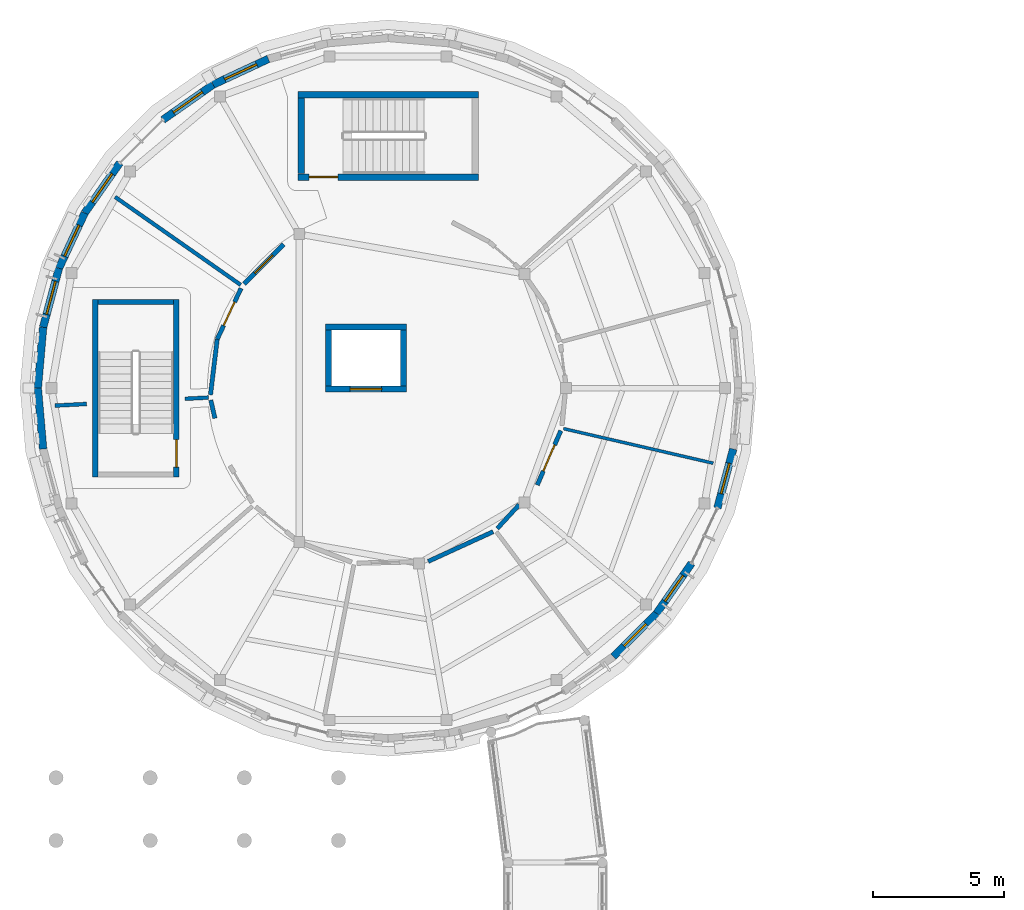
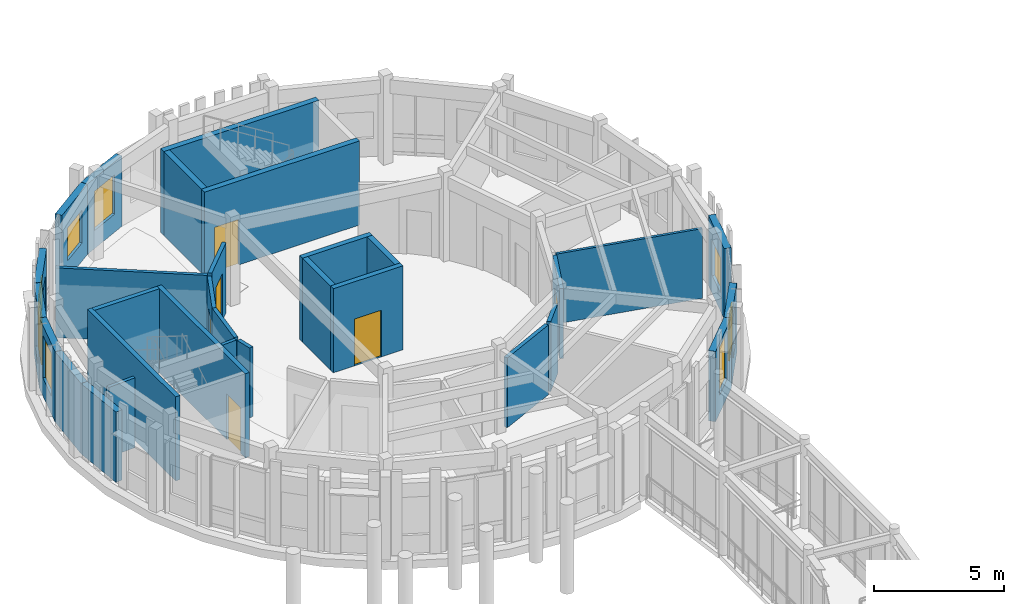
# One storey, part 51 of 80: 31 walls, 8 windows, 6 doors, 14 openings.
"""IFC4 building model written with IfcOpenShell, lengths in metres."""

from ifc_helpers import new_model, si_unit, direction, frame, frame_2d, origin, place, context, subcontext, project, spatial, rectangle, extrude, material, layer, layer_set, type_object, element, fill, save


model = new_model("IFC4")

# Units and contexts
model_context = context("Model", 3, precision=1e-05, world=origin(), true_north=direction((0.0, 1.0)))
body_context = subcontext(model_context, "Body", "Model", "MODEL_VIEW")
ifc_project = project(units=[si_unit("LENGTHUNIT", "METRE"), si_unit("AREAUNIT", "SQUARE_METRE"), si_unit("VOLUMEUNIT", "CUBIC_METRE"), si_unit("PLANEANGLEUNIT", "RADIAN"), si_unit("MASSUNIT", "GRAM", prefix="KILO")], contexts=[model_context])

# Site, building, storey
site_placement = place(None, origin())
site = spatial("IfcSite", under=ifc_project, at=site_placement, CompositionType="ELEMENT")
building_placement = place(site_placement, origin())
building = spatial("IfcBuilding", under=site, at=building_placement, Name="Aldenvaro Health Centre", CompositionType="ELEMENT")
storey_placement = place(building_placement, frame((0.0, 0.0, 4.550048828125)))
storey = spatial("IfcBuildingStorey", under=building, at=storey_placement, Name="L01", CompositionType="ELEMENT", Elevation=4.550048828125)

# Walls
ifc_material_1 = material(Name="Gypsum Stud Acoustic Assembly")
ifc_layer_1 = layer(ifc_material_1, 0.14501953125, Name="Gypsum Stud Acoustic Assembly")
ifc_layer_set_1 = layer_set([ifc_layer_1], Name="Gypsum Stud Acoustic Assembly")
wall_type_1 = type_object("IfcWallType", Name="WL-CLN-145", PredefinedType="PARTITIONING", material=ifc_layer_set_1)
wall_1_placement = place(storey_placement, frame((12.862060546875, 103.447998046875, 0.0), z_axis=(0.0, 0.0, 1.0), x_axis=(-0.819231920519, 0.573462344363, 0.0)))
element("IfcWall", 1, at=wall_1_placement, inside=storey, type_object=wall_type_1, Name="D4 L01 clinical partition 2.1", PredefinedType="PARTITIONING", context=body_context, shape_type="SweptSolid", body=[
    extrude(rectangle(XDim=5.867919921875, YDim=0.14501953125, at=frame_2d((2.93408203125, 0.0))), origin(), (0.0, 0.0, 1.0), 3.283935546875),
])
wall_2_placement = place(storey_placement, frame((11.6259765625, 99.139892578125, 0.0), z_axis=(0.0, 0.0, 1.0), x_axis=(-0.998634316819, -0.052244629109, 0.0)))
element("IfcWall", 2, at=wall_2_placement, inside=storey, type_object=wall_type_1, Name="D4 L01 clinical partition 3.1", PredefinedType="PARTITIONING", context=body_context, shape_type="SweptSolid", body=[
    extrude(rectangle(XDim=0.897216796875, YDim=0.14501953125, at=frame_2d((0.44873046875, 0.0))), origin(), (0.0, 0.0, 1.0), 3.283935546875),
])
wall_3_placement = place(storey_placement, frame((6.969970703125, 98.89599609375, 0.0), z_axis=(0.0, 0.0, 1.0), x_axis=(-0.998605556721, -0.05279149634, 0.0)))
element("IfcWall", 3, at=wall_3_placement, inside=storey, type_object=wall_type_1, Name="D4 L01 clinical partition 3.2", PredefinedType="PARTITIONING", context=body_context, shape_type="SweptSolid", body=[
    extrude(rectangle(XDim=1.211669921875, YDim=0.14501953125, at=frame_2d((0.60595703125, 0.0))), origin(), (0.0, 0.0, 1.0), 3.283935546875),
])

# Wall, opening, door
ifc_layer_2 = layer(ifc_material_1, 0.1650390625, Name="Gypsum Stud Acoustic Assembly")
ifc_layer_set_2 = layer_set([ifc_layer_2], Name="Gypsum Stud Acoustic Assembly")
wall_type_2 = type_object("IfcWallType", Name="WL-COR-165", PredefinedType="PARTITIONING", material=ifc_layer_set_2)
wall_4_placement = place(storey_placement, frame((14.5029296875, 105.0009765625, 0.0), z_axis=(0.0, 0.0, 1.0), x_axis=(-0.706366445294, -0.707846342762, 0.0)))
wall_4 = element("IfcWall", 4, at=wall_4_placement, inside=storey, type_object=wall_type_2, Name="D4 L01 corridor wall 01.1", PredefinedType="PARTITIONING", context=body_context, shape_type="SweptSolid", body=[
    extrude(rectangle(XDim=2.14453125, YDim=0.1650390625, at=frame_2d((1.072265625, 0.0))), origin(), (0.0, 0.0, 1.0), 3.283935546875),
])
opening_1_placement = place(wall_4_placement, frame((0.587890625, 0.0, 0.0)))
opening_1 = element("IfcOpeningElement", 5, at=opening_1_placement, cuts=wall_4, Name="Opening D-17", PredefinedType="OPENING", context=body_context, shape_type="SweptSolid", body=[
    extrude(rectangle(XDim=0.969970703125, YDim=2.199951171875, at=frame_2d((0.48486328125, 1.10009765625))), frame((0.0, 0.092529296875, 0.0), z_axis=(0.0, -1.0, 0.0), x_axis=(1.0, 0.0, 0.0)), (0.0, 0.0, 1.0), 0.18505859375),
])
ifc_material_2 = material(Name="Exam Suite Timber Door", Category="wood")
door_type_1 = type_object("IfcDoorType", Name="DR-CLN-17", OperationType="NOTDEFINED", PredefinedType="DOOR", material=ifc_material_2)
door_1_placement = place(opening_1_placement, origin())
door_1 = element("IfcDoor", 6, at=door_1_placement, inside=storey, type_object=door_type_1, Name="Pediatrics Consulting Room 202 Door", OperationType="SINGLE_SWING_LEFT", OverallHeight=2.199951171875, OverallWidth=0.969970703125, PredefinedType="DOOR", context=body_context, shape_type="SweptSolid", body=[
    extrude(rectangle(XDim=0.969970703125, YDim=2.199951171875, at=frame_2d((0.48486328125, 1.10009765625))), frame((0.0, 0.02490234375, 0.0), z_axis=(0.0, -1.0, 0.0), x_axis=(1.0, 0.0, 0.0)), (0.0, 0.0, 1.0), 0.050048828125),
])
fill(opening_1, door_1)

wall_5_placement = place(storey_placement, frame((12.873046875, 103.31689453125, 0.0), z_axis=(0.0, 0.0, 1.0), x_axis=(-0.424218123239, -0.905560038824, 0.0)))
wall_5 = element("IfcWall", 7, at=wall_5_placement, inside=storey, type_object=wall_type_2, Name="D4 L01 corridor wall 02.1", PredefinedType="PARTITIONING", context=body_context, shape_type="SweptSolid", body=[
    extrude(rectangle(XDim=2.1455078125, YDim=0.1650390625, at=frame_2d((1.07275390625, 0.0))), origin(), (0.0, 0.0, 1.0), 3.283935546875),
])
opening_2_placement = place(wall_5_placement, frame((0.577880859375, 0.0, 0.0)))
opening_2 = element("IfcOpeningElement", 8, at=opening_2_placement, cuts=wall_5, Name="Opening D-18", PredefinedType="OPENING", context=body_context, shape_type="SweptSolid", body=[
    extrude(rectangle(XDim=0.989990234375, YDim=2.219970703125, at=frame_2d((0.4951171875, 1.10986328125))), frame((0.0, 0.092529296875, 0.0), z_axis=(0.0, -1.0, 0.0), x_axis=(1.0, 0.0, 0.0)), (0.0, 0.0, 1.0), 0.18505859375),
])
door_type_2 = type_object("IfcDoorType", Name="DR-CLN-18", OperationType="NOTDEFINED", PredefinedType="DOOR", material=ifc_material_2)
door_2_placement = place(opening_2_placement, origin())
door_2 = element("IfcDoor", 9, at=door_2_placement, inside=storey, type_object=door_type_2, Name="Pediatrics Consulting Room 203 Door", OperationType="SINGLE_SWING_RIGHT", OverallHeight=2.219970703125, OverallWidth=0.989990234375, PredefinedType="DOOR", context=body_context, shape_type="SweptSolid", body=[
    extrude(rectangle(XDim=0.989990234375, YDim=2.219970703125, at=frame_2d((0.4951171875, 1.10986328125))), frame((0.0, 0.02490234375, 0.0), z_axis=(0.0, -1.0, 0.0), x_axis=(1.0, 0.0, 0.0)), (0.0, 0.0, 1.0), 0.050048828125),
])
fill(opening_2, door_2)

# Walls
wall_6_placement = place(storey_placement, frame((11.962890625, 101.3740234375, 0.0), z_axis=(0.0, 0.0, 1.0), x_axis=(-0.120222568092, -0.992746963794, 0.0)))
element("IfcWall", 10, at=wall_6_placement, inside=storey, type_object=wall_type_2, Name="D4 L01 corridor wall 02.2", PredefinedType="PARTITIONING", context=body_context, shape_type="SweptSolid", body=[
    extrude(rectangle(XDim=2.14453125, YDim=0.1650390625, at=frame_2d((1.072265625, 0.0))), origin(), (0.0, 0.0, 1.0), 3.283935546875),
])
wall_7_placement = place(storey_placement, frame((11.715087890625, 99.04296875, 0.0), z_axis=(0.0, 0.0, 1.0), x_axis=(0.223580091663, -0.974685560892, 0.0)))
element("IfcWall", 11, at=wall_7_placement, inside=storey, type_object=wall_type_2, Name="D4 L01 corridor wall 03.1", PredefinedType="PARTITIONING", context=body_context, shape_type="SweptSolid", body=[
    extrude(rectangle(XDim=0.7109375, YDim=0.1650390625, at=frame_2d((0.35546875, 0.0))), origin(), (0.0, 0.0, 1.0), 3.283935546875),
])
wall_8_placement = place(storey_placement, frame((20.030029296875, 92.8740234375, 0.0), z_axis=(0.0, 0.0, 1.0), x_axis=(0.909355526696, 0.416019862587, 0.0)))
element("IfcWall", 12, at=wall_8_placement, inside=storey, type_object=wall_type_2, Name="D4 L01 corridor wall 05.2", PredefinedType="PARTITIONING", context=body_context, shape_type="SweptSolid", body=[
    extrude(rectangle(XDim=2.728271484375, YDim=0.1650390625, at=frame_2d((1.3642578125, 0.0))), origin(), (0.0, 0.0, 1.0), 3.283935546875),
])
wall_9_placement = place(storey_placement, frame((22.672119140625, 94.131103515625, 0.0), z_axis=(0.0, 0.0, 1.0), x_axis=(0.677069322474, 0.735919243236, 0.0)))
element("IfcWall", 13, at=wall_9_placement, inside=storey, type_object=wall_type_2, Name="D4 L01 corridor wall 06.1", PredefinedType="PARTITIONING", context=body_context, shape_type="SweptSolid", body=[
    extrude(rectangle(XDim=1.240478515625, YDim=0.1650390625, at=frame_2d((0.6201171875, 0.0))), origin(), (0.0, 0.0, 1.0), 3.283935546875),
])

# Wall, opening, door
wall_10_placement = place(storey_placement, frame((24.202880859375, 95.7958984375, 0.0), z_axis=(0.0, 0.0, 1.0), x_axis=(0.397419678039, 0.917636964985, 0.0)))
wall_10 = element("IfcWall", 14, at=wall_10_placement, inside=storey, type_object=wall_type_2, Name="D4 L01 corridor wall 06.2", PredefinedType="PARTITIONING", context=body_context, shape_type="SweptSolid", body=[
    extrude(rectangle(XDim=2.262451171875, YDim=0.1650390625, at=frame_2d((1.13134765625, 0.0))), origin(), (0.0, 0.0, 1.0), 3.283935546875),
])
opening_3_placement = place(wall_10_placement, frame((0.5859375, 0.0, 0.0)))
opening_3 = element("IfcOpeningElement", 15, at=opening_3_placement, cuts=wall_10, Name="Opening D-22", PredefinedType="OPENING", context=body_context, shape_type="SweptSolid", body=[
    extrude(rectangle(XDim=1.090087890625, YDim=2.219970703125, at=frame_2d((0.544921875, 1.10986328125))), frame((0.0, 0.092529296875, 0.0), z_axis=(0.0, -1.0, 0.0), x_axis=(1.0, 0.0, 0.0)), (0.0, 0.0, 1.0), 0.18505859375),
])
door_type_3 = type_object("IfcDoorType", Name="DR-CLN-22", OperationType="NOTDEFINED", PredefinedType="DOOR", material=ifc_material_2)
door_3_placement = place(opening_3_placement, origin())
door_3 = element("IfcDoor", 16, at=door_3_placement, inside=storey, type_object=door_type_3, Name="Pediatric Care Team Station Door", OperationType="SINGLE_SWING_RIGHT", OverallHeight=2.219970703125, OverallWidth=1.090087890625, PredefinedType="DOOR", context=body_context, shape_type="SweptSolid", body=[
    extrude(rectangle(XDim=1.090087890625, YDim=2.219970703125, at=frame_2d((0.544921875, 1.10986328125))), frame((0.0, 0.02490234375, 0.0), z_axis=(0.0, -1.0, 0.0), x_axis=(1.0, 0.0, 0.0)), (0.0, 0.0, 1.0), 0.050048828125),
])
fill(opening_3, door_3)

# Wall, opening, window
ifc_material_3 = material(Name="Cross-laminated timber CLT E1", Category="wood")
ifc_layer_3 = layer(ifc_material_3, 0.2900390625, Name="Cross-laminated timber CLT E1", Category="wood")
ifc_layer_set_3 = layer_set([ifc_layer_3], Name="Cross-laminated timber CLT E1")
wall_type_3 = type_object("IfcWallType", Name="WL-EXT-290", PredefinedType="ELEMENTEDWALL", material=ifc_layer_set_3)
wall_11_placement = place(storey_placement, frame((31.696044921875, 97.173095703125, 0.0), z_axis=(0.0, 0.0, 1.0), x_axis=(-0.258612423585, -0.965981166673, 0.0)))
wall_11 = element("IfcWall", 17, at=wall_11_placement, inside=storey, type_object=wall_type_3, Name="D4 L01 exterior wall 02", PredefinedType="ELEMENTEDWALL", context=body_context, shape_type="SweptSolid", body=[
    extrude(rectangle(XDim=2.33544921875, YDim=0.2900390625, at=frame_2d((1.167724609375, 0.0))), origin(), (0.0, 0.0, 1.0), 3.308837890625),
])
opening_4_placement = place(wall_11_placement, frame((0.568115234375, 0.0, 0.85009765625)))
opening_4 = element("IfcOpeningElement", 18, at=opening_4_placement, cuts=wall_11, Name="Opening W-37", PredefinedType="OPENING", context=body_context, shape_type="SweptSolid", body=[
    extrude(rectangle(XDim=1.199951171875, YDim=1.64990234375, at=frame_2d((0.60009765625, 0.824951171875))), frame((0.0, 0.155029296875, 0.0), z_axis=(0.0, -1.0, 0.0), x_axis=(1.0, 0.0, 0.0)), (0.0, 0.0, 1.0), 0.31005859375),
])
ifc_material_4 = material(Name="Thermally Broken Aluminium Low-E Glass", Category="aluminium")
window_type_1 = type_object("IfcWindowType", Name="WN-EXT-37", PartitioningType="SINGLE_PANEL", PredefinedType="WINDOW", material=ifc_material_4)
window_1_placement = place(opening_4_placement, origin())
window_1 = element("IfcWindow", 19, at=window_1_placement, inside=storey, type_object=window_type_1, Name="D4 L01 clinical window 02", OverallHeight=1.64990234375, OverallWidth=1.199951171875, PartitioningType="SINGLE_PANEL", PredefinedType="WINDOW", context=body_context, shape_type="SweptSolid", body=[
    extrude(rectangle(XDim=1.199951171875, YDim=1.64990234375, at=frame_2d((0.60009765625, 0.824951171875))), frame((0.0, 0.030029296875, 0.0), z_axis=(0.0, -1.0, 0.0), x_axis=(1.0, 0.0, 0.0)), (0.0, 0.0, 1.0), 0.06005859375),
])
fill(opening_4, window_1)

wall_12_placement = place(storey_placement, frame((30.10498046875, 92.800048828125, 0.0), z_axis=(0.0, 0.0, 1.0), x_axis=(-0.573728883722, -0.819045278347, 0.0)))
wall_12 = element("IfcWall", 20, at=wall_12_placement, inside=storey, type_object=wall_type_3, Name="D4 L01 exterior wall 04", PredefinedType="ELEMENTEDWALL", context=body_context, shape_type="SweptSolid", body=[
    extrude(rectangle(XDim=2.335693359375, YDim=0.2900390625, at=frame_2d((1.16796875, 0.0))), origin(), (0.0, 0.0, 1.0), 3.308837890625),
])
opening_5_placement = place(wall_12_placement, frame((0.568115234375, 0.0, 0.85009765625)))
opening_5 = element("IfcOpeningElement", 21, at=opening_5_placement, cuts=wall_12, Name="Opening W-38", PredefinedType="OPENING", context=body_context, shape_type="SweptSolid", body=[
    extrude(rectangle(XDim=1.199951171875, YDim=1.949951171875, at=frame_2d((0.60009765625, 0.97509765625))), frame((0.0, 0.155029296875, 0.0), z_axis=(0.0, -1.0, 0.0), x_axis=(1.0, 0.0, 0.0)), (0.0, 0.0, 1.0), 0.31005859375),
])
window_type_2 = type_object("IfcWindowType", Name="WN-EXT-38", PartitioningType="SINGLE_PANEL", PredefinedType="WINDOW", material=ifc_material_4)
window_2_placement = place(opening_5_placement, origin())
window_2 = element("IfcWindow", 22, at=window_2_placement, inside=storey, type_object=window_type_2, Name="D4 L01 clinical window 04", OverallHeight=1.949951171875, OverallWidth=1.199951171875, PartitioningType="SINGLE_PANEL", PredefinedType="WINDOW", context=body_context, shape_type="SweptSolid", body=[
    extrude(rectangle(XDim=1.199951171875, YDim=1.949951171875, at=frame_2d((0.60009765625, 0.97509765625))), frame((0.0, 0.030029296875, 0.0), z_axis=(0.0, -1.0, 0.0), x_axis=(1.0, 0.0, 0.0)), (0.0, 0.0, 1.0), 0.06005859375),
])
fill(opening_5, window_2)

wall_13_placement = place(storey_placement, frame((28.764892578125, 90.886962890625, 0.0), z_axis=(0.0, 0.0, 1.0), x_axis=(-0.707106781187, -0.707106781187, 0.0)))
wall_13 = element("IfcWall", 23, at=wall_13_placement, inside=storey, type_object=wall_type_3, Name="D4 L01 exterior wall 05", PredefinedType="ELEMENTEDWALL", context=body_context, shape_type="SweptSolid", body=[
    extrude(rectangle(XDim=2.336181640625, YDim=0.2900390625, at=frame_2d((1.16796875, 0.0))), origin(), (0.0, 0.0, 1.0), 3.308837890625),
])
opening_6_placement = place(wall_13_placement, frame((0.568115234375, 0.0, 0.85009765625)))
opening_6 = element("IfcOpeningElement", 24, at=opening_6_placement, cuts=wall_13, Name="Opening W-39", PredefinedType="OPENING", context=body_context, shape_type="SweptSolid", body=[
    extrude(rectangle(XDim=1.199951171875, YDim=2.25, at=frame_2d((0.60009765625, 1.125))), frame((0.0, 0.155029296875, 0.0), z_axis=(0.0, -1.0, 0.0), x_axis=(1.0, 0.0, 0.0)), (0.0, 0.0, 1.0), 0.31005859375),
])
window_type_3 = type_object("IfcWindowType", Name="WN-EXT-39", PartitioningType="SINGLE_PANEL", PredefinedType="WINDOW", material=ifc_material_4)
window_3_placement = place(opening_6_placement, origin())
window_3 = element("IfcWindow", 25, at=window_3_placement, inside=storey, type_object=window_type_3, Name="D4 L01 clinical window 05", OverallHeight=2.25, OverallWidth=1.199951171875, PartitioningType="SINGLE_PANEL", PredefinedType="WINDOW", context=body_context, shape_type="SweptSolid", body=[
    extrude(rectangle(XDim=1.199951171875, YDim=2.25, at=frame_2d((0.60009765625, 1.125))), frame((0.0, 0.030029296875, 0.0), z_axis=(0.0, -1.0, 0.0), x_axis=(1.0, 0.0, 0.0)), (0.0, 0.0, 1.0), 0.06005859375),
])
fill(opening_6, window_3)

# Walls
for number, where, z_axis, x_axis, name in (
    (26, (5.303955078125, 97.173095703125, 0.0), (0.0, 0.0, 1.0), (-0.087274565792, 0.996184295282, 0.0), "D4 L01 exterior wall 18"),
    (27, (5.10009765625, 99.5, 0.0), (0.0, 0.0, 1.0), (0.087274565792, 0.996184295282, 0.0), "D4 L01 exterior wall 19"),
):
    element("IfcWall", number, at=place(storey_placement, frame(where, z_axis=z_axis, x_axis=x_axis)), inside=storey, type_object=wall_type_3, Name=name, PredefinedType="ELEMENTEDWALL", context=body_context, shape_type="SweptSolid", body=[
        extrude(rectangle(XDim=2.3359375, YDim=0.2900390625, at=frame_2d((1.16796875, 0.0))), origin(), (0.0, 0.0, 1.0), 3.308837890625),
    ])

# Wall, opening, window
wall_14_placement = place(storey_placement, frame((5.303955078125, 101.826904296875, 0.0), z_axis=(0.0, 0.0, 1.0), x_axis=(0.258612423585, 0.965981166673, 0.0)))
wall_14 = element("IfcWall", 28, at=wall_14_placement, inside=storey, type_object=wall_type_3, Name="D4 L01 exterior wall 20", PredefinedType="ELEMENTEDWALL", context=body_context, shape_type="SweptSolid", body=[
    extrude(rectangle(XDim=2.33544921875, YDim=0.2900390625, at=frame_2d((1.167724609375, 0.0))), origin(), (0.0, 0.0, 1.0), 3.308837890625),
])
opening_7_placement = place(wall_14_placement, frame((0.51806640625, 0.0, 0.85009765625)))
opening_7 = element("IfcOpeningElement", 29, at=opening_7_placement, cuts=wall_14, Name="Opening W-48", PredefinedType="OPENING", context=body_context, shape_type="SweptSolid", body=[
    extrude(rectangle(XDim=1.300048828125, YDim=2.0, at=frame_2d((0.64990234375, 1.0))), frame((0.0, 0.155029296875, 0.0), z_axis=(0.0, -1.0, 0.0), x_axis=(1.0, 0.0, 0.0)), (0.0, 0.0, 1.0), 0.31005859375),
])
window_type_4 = type_object("IfcWindowType", Name="WN-EXT-48", PartitioningType="SINGLE_PANEL", PredefinedType="WINDOW", material=ifc_material_4)
window_4_placement = place(opening_7_placement, origin())
window_4 = element("IfcWindow", 30, at=window_4_placement, inside=storey, type_object=window_type_4, Name="D4 L01 clinical window 20", OverallHeight=2.0, OverallWidth=1.300048828125, PartitioningType="SINGLE_PANEL", PredefinedType="WINDOW", context=body_context, shape_type="SweptSolid", body=[
    extrude(rectangle(XDim=1.300048828125, YDim=2.0, at=frame_2d((0.64990234375, 1.0))), frame((0.0, 0.030029296875, 0.0), z_axis=(0.0, -1.0, 0.0), x_axis=(1.0, 0.0, 0.0)), (0.0, 0.0, 1.0), 0.06005859375),
])
fill(opening_7, window_4)

wall_15_placement = place(storey_placement, frame((5.907958984375, 104.0830078125, 0.0), z_axis=(0.0, 0.0, 1.0), x_axis=(0.422587894318, 0.906321946979, 0.0)))
wall_15 = element("IfcWall", 31, at=wall_15_placement, inside=storey, type_object=wall_type_3, Name="D4 L01 exterior wall 21", PredefinedType="ELEMENTEDWALL", context=body_context, shape_type="SweptSolid", body=[
    extrude(rectangle(XDim=2.335693359375, YDim=0.2900390625, at=frame_2d((1.16796875, 0.0))), origin(), (0.0, 0.0, 1.0), 3.308837890625),
])
opening_8_placement = place(wall_15_placement, frame((0.51806640625, 0.0, 0.699951171875)))
opening_8 = element("IfcOpeningElement", 32, at=opening_8_placement, cuts=wall_15, Name="Opening W-49", PredefinedType="OPENING", context=body_context, shape_type="SweptSolid", body=[
    extrude(rectangle(XDim=1.300048828125, YDim=2.300048828125, at=frame_2d((0.64990234375, 1.14990234375))), frame((0.0, 0.155029296875, 0.0), z_axis=(0.0, -1.0, 0.0), x_axis=(1.0, 0.0, 0.0)), (0.0, 0.0, 1.0), 0.31005859375),
])
window_type_5 = type_object("IfcWindowType", Name="WN-EXT-49", PartitioningType="SINGLE_PANEL", PredefinedType="WINDOW", material=ifc_material_4)
window_5_placement = place(opening_8_placement, origin())
window_5 = element("IfcWindow", 33, at=window_5_placement, inside=storey, type_object=window_type_5, Name="D4 L01 clinical window 21", OverallHeight=2.300048828125, OverallWidth=1.300048828125, PartitioningType="SINGLE_PANEL", PredefinedType="WINDOW", context=body_context, shape_type="SweptSolid", body=[
    extrude(rectangle(XDim=1.300048828125, YDim=2.300048828125, at=frame_2d((0.64990234375, 1.14990234375))), frame((0.0, 0.030029296875, 0.0), z_axis=(0.0, -1.0, 0.0), x_axis=(1.0, 0.0, 0.0)), (0.0, 0.0, 1.0), 0.06005859375),
])
fill(opening_8, window_5)

wall_16_placement = place(storey_placement, frame((6.89501953125, 106.199951171875, 0.0), z_axis=(0.0, 0.0, 1.0), x_axis=(0.573728883722, 0.819045278347, 0.0)))
wall_16 = element("IfcWall", 34, at=wall_16_placement, inside=storey, type_object=wall_type_3, Name="D4 L01 exterior wall 22", PredefinedType="ELEMENTEDWALL", context=body_context, shape_type="SweptSolid", body=[
    extrude(rectangle(XDim=2.335693359375, YDim=0.2900390625, at=frame_2d((1.16796875, 0.0))), origin(), (0.0, 0.0, 1.0), 3.308837890625),
])
opening_9_placement = place(wall_16_placement, frame((0.508056640625, 0.0, 0.85009765625)))
opening_9 = element("IfcOpeningElement", 35, at=opening_9_placement, cuts=wall_16, Name="Opening W-50", PredefinedType="OPENING", context=body_context, shape_type="SweptSolid", body=[
    extrude(rectangle(XDim=1.320068359375, YDim=1.550048828125, at=frame_2d((0.66015625, 0.77490234375))), frame((0.0, 0.155029296875, 0.0), z_axis=(0.0, -1.0, 0.0), x_axis=(1.0, 0.0, 0.0)), (0.0, 0.0, 1.0), 0.31005859375),
])
window_type_6 = type_object("IfcWindowType", Name="WN-EXT-50", PartitioningType="SINGLE_PANEL", PredefinedType="WINDOW", material=ifc_material_4)
window_6_placement = place(opening_9_placement, origin())
window_6 = element("IfcWindow", 36, at=window_6_placement, inside=storey, type_object=window_type_6, Name="D4 L01 clinical window 22", OverallHeight=1.550048828125, OverallWidth=1.320068359375, PartitioningType="SINGLE_PANEL", PredefinedType="WINDOW", context=body_context, shape_type="SweptSolid", body=[
    extrude(rectangle(XDim=1.320068359375, YDim=1.550048828125, at=frame_2d((0.66015625, 0.77490234375))), frame((0.0, 0.030029296875, 0.0), z_axis=(0.0, -1.0, 0.0), x_axis=(1.0, 0.0, 0.0)), (0.0, 0.0, 1.0), 0.06005859375),
])
fill(opening_9, window_6)

wall_17_placement = place(storey_placement, frame((9.886962890625, 109.764892578125, 0.0), z_axis=(0.0, 0.0, 1.0), x_axis=(0.819045278347, 0.573728883722, 0.0)))
wall_17 = element("IfcWall", 37, at=wall_17_placement, inside=storey, type_object=wall_type_3, Name="D4 L01 exterior wall 24", PredefinedType="ELEMENTEDWALL", context=body_context, shape_type="SweptSolid", body=[
    extrude(rectangle(XDim=2.335693359375, YDim=0.2900390625, at=frame_2d((1.16796875, 0.0))), origin(), (0.0, 0.0, 1.0), 3.308837890625),
])
opening_10_placement = place(wall_17_placement, frame((0.492919921875, 0.0, 0.85009765625)))
opening_10 = element("IfcOpeningElement", 38, at=opening_10_placement, cuts=wall_17, Name="Opening W-51", PredefinedType="OPENING", context=body_context, shape_type="SweptSolid", body=[
    extrude(rectangle(XDim=1.35009765625, YDim=1.550048828125, at=frame_2d((0.675048828125, 0.77490234375))), frame((0.0, 0.155029296875, 0.0), z_axis=(0.0, -1.0, 0.0), x_axis=(1.0, 0.0, 0.0)), (0.0, 0.0, 1.0), 0.31005859375),
])
window_type_7 = type_object("IfcWindowType", Name="WN-EXT-51", PartitioningType="SINGLE_PANEL", PredefinedType="WINDOW", material=ifc_material_4)
window_7_placement = place(opening_10_placement, origin())
window_7 = element("IfcWindow", 39, at=window_7_placement, inside=storey, type_object=window_type_7, Name="D4 L01 clinical window 24", OverallHeight=1.550048828125, OverallWidth=1.35009765625, PartitioningType="SINGLE_PANEL", PredefinedType="WINDOW", context=body_context, shape_type="SweptSolid", body=[
    extrude(rectangle(XDim=1.35009765625, YDim=1.550048828125, at=frame_2d((0.675048828125, 0.77490234375))), frame((0.0, 0.030029296875, 0.0), z_axis=(0.0, -1.0, 0.0), x_axis=(1.0, 0.0, 0.0)), (0.0, 0.0, 1.0), 0.06005859375),
])
fill(opening_10, window_7)

wall_18_placement = place(storey_placement, frame((11.800048828125, 111.10498046875, 0.0), z_axis=(0.0, 0.0, 1.0), x_axis=(0.906321946979, 0.422587894318, 0.0)))
wall_18 = element("IfcWall", 40, at=wall_18_placement, inside=storey, type_object=wall_type_3, Name="D4 L01 exterior wall 25", PredefinedType="ELEMENTEDWALL", context=body_context, shape_type="SweptSolid", body=[
    extrude(rectangle(XDim=2.335693359375, YDim=0.2900390625, at=frame_2d((1.16796875, 0.0))), origin(), (0.0, 0.0, 1.0), 3.308837890625),
])
opening_11_placement = place(wall_18_placement, frame((0.492919921875, 0.0, 0.85009765625)))
opening_11 = element("IfcOpeningElement", 41, at=opening_11_placement, cuts=wall_18, Name="Opening W-52", PredefinedType="OPENING", context=body_context, shape_type="SweptSolid", body=[
    extrude(rectangle(XDim=1.35009765625, YDim=1.85009765625, at=frame_2d((0.675048828125, 0.925048828125))), frame((0.0, 0.155029296875, 0.0), z_axis=(0.0, -1.0, 0.0), x_axis=(1.0, 0.0, 0.0)), (0.0, 0.0, 1.0), 0.31005859375),
])
window_type_8 = type_object("IfcWindowType", Name="WN-EXT-52", PartitioningType="SINGLE_PANEL", PredefinedType="WINDOW", material=ifc_material_4)
window_8_placement = place(opening_11_placement, origin())
window_8 = element("IfcWindow", 42, at=window_8_placement, inside=storey, type_object=window_type_8, Name="D4 L01 clinical window 25", OverallHeight=1.85009765625, OverallWidth=1.35009765625, PartitioningType="SINGLE_PANEL", PredefinedType="WINDOW", context=body_context, shape_type="SweptSolid", body=[
    extrude(rectangle(XDim=1.35009765625, YDim=1.85009765625, at=frame_2d((0.675048828125, 0.925048828125))), frame((0.0, 0.030029296875, 0.0), z_axis=(0.0, -1.0, 0.0), x_axis=(1.0, 0.0, 0.0)), (0.0, 0.0, 1.0), 0.06005859375),
])
fill(opening_11, window_8)

# Wall, opening, door
ifc_material_5 = material(Name="Concrete f'c 40 MPa", Category="concrete")
ifc_layer_4 = layer(ifc_material_5, 0.199951171875, Name="Concrete f'c 40 MPa", Category="concrete")
ifc_layer_set_4 = layer_set([ifc_layer_4], Name="Concrete f'c 40 MPa")
wall_type_4 = type_object("IfcWallType", Name="WL-SHAFT-200", PredefinedType="SHEAR", material=ifc_layer_set_4)
wall_19_placement = place(storey_placement, frame((10.39990234375, 96.10009765625, 0.0), z_axis=(0.0, 0.0, 1.0), x_axis=(0.0, 1.0, 0.0)))
wall_19 = element("IfcWall", 43, at=wall_19_placement, inside=storey, type_object=wall_type_4, Name="ST-08 L01 inner core wall", PredefinedType="SHEAR", context=body_context, shape_type="SweptSolid", body=[
    extrude(rectangle(XDim=6.7998046875, YDim=0.199951171875, at=frame_2d((3.39990234375, 0.0))), origin(), (0.0, 0.0, 1.0), 3.954833984375),
])
opening_12_placement = place(wall_19_placement, frame((0.3798828125, 0.0, 0.0)))
opening_12 = element("IfcOpeningElement", 44, at=opening_12_placement, cuts=wall_19, Name="Opening FD-02", PredefinedType="OPENING", context=body_context, shape_type="SweptSolid", body=[
    extrude(rectangle(XDim=1.050048828125, YDim=2.14990234375, at=frame_2d((0.52490234375, 1.074951171875))), frame((0.0, 0.10986328125, 0.0), z_axis=(0.0, -1.0, 0.0), x_axis=(1.0, 0.0, 0.0)), (0.0, 0.0, 1.0), 0.219970703125),
])
ifc_material_6 = material(Name="Fire-Rated Steel Door Assembly", Category="steel")
door_type_4 = type_object("IfcDoorType", Name="DR-STAIR-105", OperationType="NOTDEFINED", PredefinedType="DOOR", material=ifc_material_6)
door_4_placement = place(opening_12_placement, origin())
door_4 = element("IfcDoor", 45, at=door_4_placement, inside=storey, type_object=door_type_4, Name="ST-08 L01 fire stair door", OperationType="SINGLE_SWING_RIGHT", OverallHeight=2.14990234375, OverallWidth=1.050048828125, PredefinedType="DOOR", context=body_context, shape_type="SweptSolid", body=[
    extrude(rectangle(XDim=1.050048828125, YDim=2.14990234375, at=frame_2d((0.52490234375, 1.074951171875))), frame((0.0, 0.02490234375, 0.0), z_axis=(0.0, -1.0, 0.0), x_axis=(1.0, 0.0, 0.0)), (0.0, 0.0, 1.0), 0.050048828125),
])
fill(opening_12, door_4)

# Walls
wall_20_placement = place(storey_placement, frame((7.300048828125, 96.10009765625, 0.0), z_axis=(0.0, 0.0, 1.0), x_axis=(0.0, 1.0, 0.0)))
element("IfcWall", 46, at=wall_20_placement, inside=storey, type_object=wall_type_4, Name="ST-08 L01 far core wall", PredefinedType="SHEAR", context=body_context, shape_type="SweptSolid", body=[
    extrude(rectangle(XDim=6.7998046875, YDim=0.199951171875, at=frame_2d((3.39990234375, 0.0))), origin(), (0.0, 0.0, 1.0), 3.954833984375),
])
wall_21_placement = place(storey_placement, frame((10.300048828125, 102.800048828125, 0.0), z_axis=(0.0, 0.0, 1.0), x_axis=(-1.0, 0.0, 0.0)))
element("IfcWall", 47, at=wall_21_placement, inside=storey, type_object=wall_type_4, Name="ST-08 L01 side core wall R", PredefinedType="SHEAR", context=body_context, shape_type="SweptSolid", body=[
    extrude(rectangle(XDim=2.900146484375, YDim=0.199951171875, at=frame_2d((1.4501953125, 0.0))), origin(), (0.0, 0.0, 1.0), 3.954833984375),
])

# Wall, opening, door
ifc_layer_5 = layer(ifc_material_5, 0.22509765625, Name="Concrete f'c 40 MPa", Category="concrete")
ifc_layer_set_5 = layer_set([ifc_layer_5], Name="Concrete f'c 40 MPa")
wall_type_5 = type_object("IfcWallType", Name="WL-SHAFT-225", PredefinedType="SHEAR", material=ifc_layer_set_5)
wall_22_placement = place(storey_placement, frame((16.10009765625, 99.462890625, 0.0), z_axis=(0.0, 0.0, 1.0), x_axis=(1.0, 0.0, 0.0)))
wall_22 = element("IfcWall", 48, at=wall_22_placement, inside=storey, type_object=wall_type_5, Name="LF-04 L01 lift shaft front wall", PredefinedType="SHEAR", context=body_context, shape_type="SweptSolid", body=[
    extrude(rectangle(XDim=3.099853515625, YDim=0.22509765625, at=frame_2d((1.5498046875, 0.0))), origin(), (0.0, 0.0, 1.0), 3.954833984375),
])
opening_13_placement = place(wall_22_placement, frame((0.949951171875, 0.0, 0.0)))
opening_13 = element("IfcOpeningElement", 49, at=opening_13_placement, cuts=wall_22, Name="Opening LD-01", PredefinedType="OPENING", context=body_context, shape_type="SweptSolid", body=[
    extrude(rectangle(XDim=1.199951171875, YDim=2.199951171875, at=frame_2d((0.60009765625, 1.10009765625))), frame((0.0, 0.12255859375, 0.0), z_axis=(0.0, -1.0, 0.0), x_axis=(1.0, 0.0, 0.0)), (0.0, 0.0, 1.0), 0.2451171875),
])
ifc_material_7 = material(Name="Stainless Steel Lift Landing Door", Category="steel")
door_type_5 = type_object("IfcDoorType", Name="DR-LIFT-120", OperationType="DOUBLE_DOOR_SLIDING", PredefinedType="DOOR", material=ifc_material_7)
door_5_placement = place(opening_13_placement, origin())
door_5 = element("IfcDoor", 50, at=door_5_placement, inside=storey, type_object=door_type_5, Name="Lift LF-04 L01 Sliding Landing Door", OperationType="DOUBLE_DOOR_SLIDING", OverallHeight=2.199951171875, OverallWidth=1.199951171875, PredefinedType="DOOR", context=body_context, shape_type="SweptSolid", body=[
    extrude(rectangle(XDim=1.199951171875, YDim=2.199951171875, at=frame_2d((0.60009765625, 1.10009765625))), frame((0.0, 0.02490234375, 0.0), z_axis=(0.0, -1.0, 0.0), x_axis=(1.0, 0.0, 0.0)), (0.0, 0.0, 1.0), 0.050048828125),
])
fill(opening_13, door_5)

# Walls
wall_23_placement = place(storey_placement, frame((16.10009765625, 101.837890625, 0.0), z_axis=(0.0, 0.0, 1.0), x_axis=(1.0, 0.0, 0.0)))
element("IfcWall", 51, at=wall_23_placement, inside=storey, type_object=wall_type_5, Name="LF-04 L01 lift shaft rear wall", PredefinedType="SHEAR", context=body_context, shape_type="SweptSolid", body=[
    extrude(rectangle(XDim=3.099853515625, YDim=0.22509765625, at=frame_2d((1.5498046875, 0.0))), origin(), (0.0, 0.0, 1.0), 3.954833984375),
])
for number, where, z_axis, x_axis, name in (
    (52, (16.2119140625, 99.574951171875, 0.0), (0.0, 0.0, 1.0), (0.0, 1.0, 0.0), "LF-04 L01 lift shaft side wall L"),
    (53, (19.0869140625, 99.574951171875, 0.0), (0.0, 0.0, 1.0), (0.0, 1.0, 0.0), "LF-04 L01 lift shaft side wall R"),
):
    element("IfcWall", number, at=place(storey_placement, frame(where, z_axis=z_axis, x_axis=x_axis)), inside=storey, type_object=wall_type_5, Name=name, PredefinedType="SHEAR", context=body_context, shape_type="SweptSolid", body=[
        extrude(rectangle(XDim=2.150146484375, YDim=0.22509765625, at=frame_2d((1.0751953125, 0.0))), origin(), (0.0, 0.0, 1.0), 3.954833984375),
    ])

# Wall, opening, door
ifc_layer_6 = layer(ifc_material_5, 0.25, Name="Concrete f'c 40 MPa", Category="concrete")
ifc_layer_set_6 = layer_set([ifc_layer_6], Name="Concrete f'c 40 MPa")
wall_type_6 = type_object("IfcWallType", Name="WL-SHAFT-250", PredefinedType="SHEAR", material=ifc_layer_set_6)
wall_24_placement = place(storey_placement, frame((15.050048828125, 107.574951171875, 0.0), z_axis=(0.0, 0.0, 1.0), x_axis=(1.0, 0.0, 0.0)))
wall_24 = element("IfcWall", 54, at=wall_24_placement, inside=storey, type_object=wall_type_6, Name="ST-07 L01 inner core wall", PredefinedType="SHEAR", context=body_context, shape_type="SweptSolid", body=[
    extrude(rectangle(XDim=6.89990234375, YDim=0.25, at=frame_2d((3.449951171875, 0.0))), origin(), (0.0, 0.0, 1.0), 3.954833984375),
])
opening_14_placement = place(wall_24_placement, frame((0.429931640625, 0.0, 0.0)))
opening_14 = element("IfcOpeningElement", 55, at=opening_14_placement, cuts=wall_24, Name="Opening FD-01", PredefinedType="OPENING", context=body_context, shape_type="SweptSolid", body=[
    extrude(rectangle(XDim=1.10009765625, YDim=2.14990234375, at=frame_2d((0.550048828125, 1.074951171875))), frame((0.0, 0.135009765625, 0.0), z_axis=(0.0, -1.0, 0.0), x_axis=(1.0, 0.0, 0.0)), (0.0, 0.0, 1.0), 0.27001953125),
])
door_type_6 = type_object("IfcDoorType", Name="DR-STAIR-110", OperationType="NOTDEFINED", PredefinedType="DOOR", material=ifc_material_6)
door_6_placement = place(opening_14_placement, origin())
door_6 = element("IfcDoor", 56, at=door_6_placement, inside=storey, type_object=door_type_6, Name="ST-07 L01 fire stair door", OperationType="SINGLE_SWING_LEFT", OverallHeight=2.14990234375, OverallWidth=1.10009765625, PredefinedType="DOOR", context=body_context, shape_type="SweptSolid", body=[
    extrude(rectangle(XDim=1.10009765625, YDim=2.14990234375, at=frame_2d((0.550048828125, 1.074951171875))), frame((0.0, 0.02490234375, 0.0), z_axis=(0.0, -1.0, 0.0), x_axis=(1.0, 0.0, 0.0)), (0.0, 0.0, 1.0), 0.050048828125),
])
fill(opening_14, door_6)

# Walls
wall_25_placement = place(storey_placement, frame((15.050048828125, 110.72509765625, 0.0), z_axis=(0.0, 0.0, 1.0), x_axis=(1.0, 0.0, 0.0)))
element("IfcWall", 57, at=wall_25_placement, inside=storey, type_object=wall_type_6, Name="ST-07 L01 far core wall", PredefinedType="SHEAR", context=body_context, shape_type="SweptSolid", body=[
    extrude(rectangle(XDim=6.89990234375, YDim=0.25, at=frame_2d((3.449951171875, 0.0))), origin(), (0.0, 0.0, 1.0), 3.954833984375),
])
wall_26_placement = place(storey_placement, frame((15.175048828125, 107.699951171875, 0.0), z_axis=(0.0, 0.0, 1.0), x_axis=(0.0, 1.0, 0.0)))
element("IfcWall", 58, at=wall_26_placement, inside=storey, type_object=wall_type_6, Name="ST-07 L01 side core wall L", PredefinedType="SHEAR", context=body_context, shape_type="SweptSolid", body=[
    extrude(rectangle(XDim=2.900146484375, YDim=0.25, at=frame_2d((1.4501953125, 0.0))), origin(), (0.0, 0.0, 1.0), 3.954833984375),
])
ifc_material_8 = material(Name="Light Gauge Steel Stud Partition", Category="steel")
ifc_layer_7 = layer(ifc_material_8, 0.114990234375, Name="Light Gauge Steel Stud Partition", Category="steel")
ifc_layer_set_7 = layer_set([ifc_layer_7], Name="Light Gauge Steel Stud Partition")
wall_type_7 = type_object("IfcWallType", Name="WL-SUB-115", PredefinedType="PARTITIONING", material=ifc_layer_set_7)
wall_27_placement = place(storey_placement, frame((25.20703125, 97.951904296875, 0.0), z_axis=(0.0, 0.0, 1.0), x_axis=(0.97434915279, -0.225041614944, 0.0)))
element("IfcWall", 59, at=wall_27_placement, inside=storey, type_object=wall_type_7, Name="D4 L01 clinical partition 7.1", PredefinedType="PARTITIONING", context=body_context, shape_type="SweptSolid", body=[
    extrude(rectangle(XDim=5.87451171875, YDim=0.114990234375, at=frame_2d((2.937255859375, 0.0))), origin(), (0.0, 0.0, 1.0), 3.283935546875),
])

save(model, "model.ifc")
